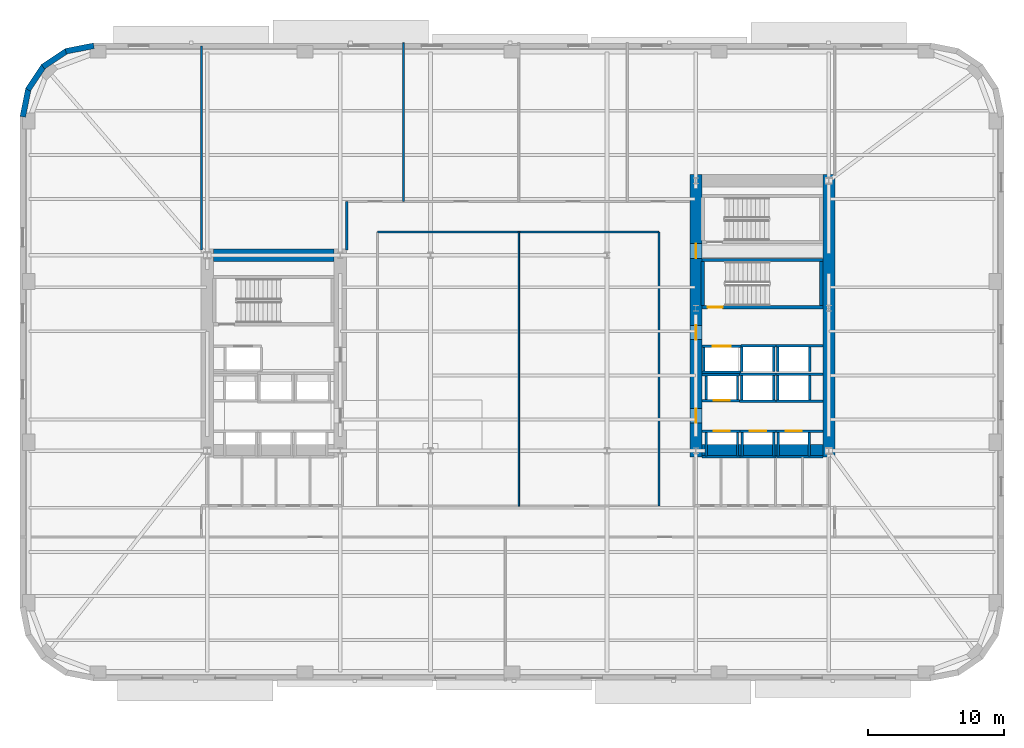
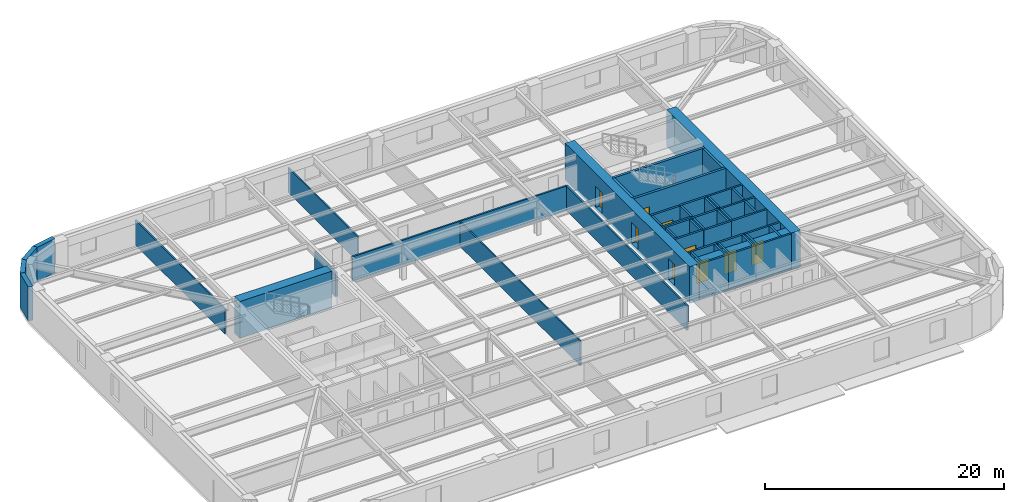
# One storey, part 6 of 15: 51 walls, 9 doors, 9 openings.
"""IFC4 building model written with IfcOpenShell, lengths in metres."""

from ifc_helpers import new_model, si_unit, direction, frame, frame_2d, origin, place, context, subcontext, project, spatial, rectangle, extrude, material, layer, layer_set, type_object, element, fill, save


model = new_model("IFC4")

# Units and contexts
model_context = context("Model", 3, precision=1e-05, world=origin(), true_north=direction((0.0, 1.0)))
body_context = subcontext(model_context, "Body", "Model", "MODEL_VIEW")
ifc_project = project(units=[si_unit("LENGTHUNIT", "METRE"), si_unit("AREAUNIT", "SQUARE_METRE"), si_unit("VOLUMEUNIT", "CUBIC_METRE"), si_unit("PLANEANGLEUNIT", "RADIAN"), si_unit("MASSUNIT", "GRAM", prefix="KILO")], contexts=[model_context])

# Site, building, storey
site_placement = place(None, origin())
site = spatial("IfcSite", under=ifc_project, at=site_placement, CompositionType="ELEMENT")
building_placement = place(site_placement, origin())
building = spatial("IfcBuilding", under=site, at=building_placement, Name="Kolvaren Arena Tower", CompositionType="ELEMENT")
storey_placement = place(building_placement, frame((0.0, 0.0, 45.75)))
storey = spatial("IfcBuildingStorey", under=building, at=storey_placement, Name="L08", CompositionType="ELEMENT", Elevation=45.75)

# Walls
ifc_material_1 = material(Name="Gypsum board acoustic assembly", Category="gypsum")
ifc_layer_1 = layer(ifc_material_1, 0.159912109375)
ifc_layer_set_1 = layer_set([ifc_layer_1], Name="Gypsum board acoustic assembly")
wall_type_1 = type_object("IfcWallType", Name="CORR-160", PredefinedType="PARTITIONING", material=ifc_layer_set_1)
wall_1_placement = place(storey_placement, frame((24.820068359375, 34.25, 0.0), z_axis=(0.0, 0.0, 1.0), x_axis=(0.0, 1.0, 0.0)))
element("IfcWall", 1, at=wall_1_placement, inside=storey, type_object=wall_type_1, Name="Interior Partition Wall (L08)", PredefinedType="PARTITIONING", context=body_context, shape_type="SweptSolid", body=[
    extrude(rectangle(XDim=3.570068359375, YDim=0.159912109375, at=frame_2d((1.78515625, 0.0))), origin(), (0.0, 0.0, 1.0), 2.5400390625),
])
wall_2_placement = place(storey_placement, frame((27.080078125, 35.580078125, 0.0), z_axis=(0.0, 0.0, 1.0), x_axis=(1.0, 0.0, 0.0)))
element("IfcWall", 2, at=wall_2_placement, inside=storey, type_object=wall_type_1, Name="Interior Partition Wall (L08)", PredefinedType="PARTITIONING", context=body_context, shape_type="SweptSolid", body=[
    extrude(rectangle(XDim=20.739990234375, YDim=0.159912109375, at=frame_2d((10.3701171875, 0.0))), origin(), (0.0, 0.0, 1.0), 2.5400390625),
])
wall_3_placement = place(storey_placement, frame((47.820068359375, 15.3798828125, 0.0), z_axis=(0.0, 0.0, 1.0), x_axis=(0.0, 1.0, 0.0)))
element("IfcWall", 3, at=wall_3_placement, inside=storey, type_object=wall_type_1, Name="Interior Partition Wall (L08)", PredefinedType="PARTITIONING", context=body_context, shape_type="SweptSolid", body=[
    extrude(rectangle(XDim=20.2001953125, YDim=0.159912109375, at=frame_2d((10.10009765625, 0.0))), origin(), (0.0, 0.0, 1.0), 2.5400390625),
])
ifc_material_2 = material(Name="Concrete 80 MPa", Category="concrete")
ifc_layer_2 = layer(ifc_material_2, 0.89990234375)
ifc_layer_set_2 = layer_set([ifc_layer_2], Name="Concrete 80 MPa")
wall_type_2 = type_object("IfcWallType", Name="CWALL-900", PredefinedType="SHEAR", material=ifc_layer_set_2)
wall_4_placement = place(storey_placement, frame((15.0, 33.85009765625, -0.27001953125), z_axis=(0.0, 0.0, 1.0), x_axis=(1.0, 0.0, 0.0)))
element("IfcWall", 4, at=wall_4_placement, inside=storey, type_object=wall_type_2, Name="Core Shear Wall WC-NORTH (L08)", PredefinedType="SHEAR", context=body_context, shape_type="SweptSolid", body=[
    extrude(rectangle(XDim=8.89990234375, YDim=0.89990234375, at=frame_2d((4.449951171875, 0.0))), origin(), (0.0, 0.0, 1.0), 3.75),
])

# Wall, openings, doors
wall_5_placement = place(storey_placement, frame((50.550048828125, 19.0, -0.27001953125), z_axis=(0.0, 0.0, 1.0), x_axis=(0.0, 1.0, 0.0)))
wall_5 = element("IfcWall", 5, at=wall_5_placement, inside=storey, type_object=wall_type_2, Name="Core Shear Wall EC-WEST (L08)", PredefinedType="SHEAR", context=body_context, shape_type="SweptSolid", body=[
    extrude(rectangle(XDim=20.800048828125, YDim=0.89990234375, at=frame_2d((10.39990234375, 0.0))), origin(), (0.0, 0.0, 1.0), 3.75),
])
opening_1_placement = place(wall_5_placement, frame((2.5, 0.0, 0.27001953125)))
opening_1 = element("IfcOpeningElement", 6, at=opening_1_placement, cuts=wall_5, Name="Opening D04", PredefinedType="OPENING", context=body_context, shape_type="SweptSolid", body=[
    extrude(rectangle(XDim=1.050048828125, YDim=2.14990234375, at=frame_2d((0.52490234375, 1.074951171875))), frame((0.0, 0.4599609375, 0.0), z_axis=(0.0, -1.0, 0.0), x_axis=(1.0, 0.0, 0.0)), (0.0, 0.0, 1.0), 0.919921875),
])
opening_2_placement = place(wall_5_placement, frame((8.64990234375, 0.0, 0.27001953125)))
opening_2 = element("IfcOpeningElement", 7, at=opening_2_placement, cuts=wall_5, Name="Opening D04", PredefinedType="OPENING", context=body_context, shape_type="SweptSolid", body=[
    extrude(rectangle(XDim=1.050048828125, YDim=2.14990234375, at=frame_2d((0.52490234375, 1.074951171875))), frame((0.0, 0.4599609375, 0.0), z_axis=(0.0, -1.0, 0.0), x_axis=(1.0, 0.0, 0.0)), (0.0, 0.0, 1.0), 0.919921875),
])
opening_3_placement = place(wall_5_placement, frame((14.6201171875, 0.0, 0.27001953125)))
opening_3 = element("IfcOpeningElement", 8, at=opening_3_placement, cuts=wall_5, Name="Opening D03", PredefinedType="OPENING", context=body_context, shape_type="SweptSolid", body=[
    extrude(rectangle(XDim=1.10009765625, YDim=2.14990234375, at=frame_2d((0.550048828125, 1.074951171875))), frame((0.0, 0.4599609375, 0.0), z_axis=(0.0, -1.0, 0.0), x_axis=(1.0, 0.0, 0.0)), (0.0, 0.0, 1.0), 0.919921875),
])
ifc_material_3 = material(Name="Fire-rated steel lobby door", Category="steel")
door_type_1 = type_object("IfcDoorType", Name="DOOR-FF-105", OperationType="NOTDEFINED", PredefinedType="DOOR", material=ifc_material_3)
door_1_placement = place(opening_1_placement, origin())
door_1 = element("IfcDoor", 9, at=door_1_placement, inside=storey, type_object=door_type_1, Name="East Lift Lobby Fire Door (L08)", OperationType="SINGLE_SWING_RIGHT", OverallHeight=2.14990234375, OverallWidth=1.050048828125, PredefinedType="DOOR", context=body_context, shape_type="SweptSolid", body=[
    extrude(rectangle(XDim=1.050048828125, YDim=2.14990234375, at=frame_2d((0.52490234375, 1.074951171875))), frame((0.0, 0.02490234375, 0.0), z_axis=(0.0, -1.0, 0.0), x_axis=(1.0, 0.0, 0.0)), (0.0, 0.0, 1.0), 0.050048828125),
])
fill(opening_1, door_1)
door_2_placement = place(opening_2_placement, origin())
door_2 = element("IfcDoor", 10, at=door_2_placement, inside=storey, type_object=door_type_1, Name="East Firefighter Vestibule Door (L08)", OperationType="SINGLE_SWING_LEFT", OverallHeight=2.14990234375, OverallWidth=1.050048828125, PredefinedType="DOOR", context=body_context, shape_type="SweptSolid", body=[
    extrude(rectangle(XDim=1.050048828125, YDim=2.14990234375, at=frame_2d((0.52490234375, 1.074951171875))), frame((0.0, 0.02490234375, 0.0), z_axis=(0.0, -1.0, 0.0), x_axis=(1.0, 0.0, 0.0)), (0.0, 0.0, 1.0), 0.050048828125),
])
fill(opening_2, door_2)
ifc_material_4 = material(Name="Fire-rated steel exit stair door", Category="steel")
door_type_2 = type_object("IfcDoorType", Name="DOOR-ST-110", OperationType="NOTDEFINED", PredefinedType="DOOR", material=ifc_material_4)
door_3_placement = place(opening_3_placement, origin())
door_3 = element("IfcDoor", 11, at=door_3_placement, inside=storey, type_object=door_type_2, Name="Stair ST-E2 Vestibule Fire Door (L08)", OperationType="SINGLE_SWING_LEFT", OverallHeight=2.14990234375, OverallWidth=1.10009765625, PredefinedType="DOOR", context=body_context, shape_type="SweptSolid", body=[
    extrude(rectangle(XDim=1.10009765625, YDim=2.14990234375, at=frame_2d((0.550048828125, 1.074951171875))), frame((0.0, 0.02490234375, 0.0), z_axis=(0.0, -1.0, 0.0), x_axis=(1.0, 0.0, 0.0)), (0.0, 0.0, 1.0), 0.050048828125),
])
fill(opening_3, door_3)

# Walls
wall_6_placement = place(storey_placement, frame((60.35009765625, 19.0, -0.27001953125), z_axis=(0.0, 0.0, 1.0), x_axis=(0.0, 1.0, 0.0)))
element("IfcWall", 12, at=wall_6_placement, inside=storey, type_object=wall_type_2, Name="Core Shear Wall EC-EAST (L08)", PredefinedType="SHEAR", context=body_context, shape_type="SweptSolid", body=[
    extrude(rectangle(XDim=20.800048828125, YDim=0.89990234375, at=frame_2d((10.39990234375, 0.0))), origin(), (0.0, 0.0, 1.0), 3.75),
])
wall_7_placement = place(storey_placement, frame((51.0, 19.449951171875, -0.27001953125), z_axis=(0.0, 0.0, 1.0), x_axis=(1.0, 0.0, 0.0)))
element("IfcWall", 13, at=wall_7_placement, inside=storey, type_object=wall_type_2, Name="Core Shear Wall EC-SOUTH (L08)", PredefinedType="SHEAR", context=body_context, shape_type="SweptSolid", body=[
    extrude(rectangle(XDim=8.89990234375, YDim=0.89990234375, at=frame_2d((4.449951171875, 0.0))), origin(), (0.0, 0.0, 1.0), 3.75),
])
ifc_material_5 = material(Name="Precast concrete C50/60", Category="concrete")
ifc_layer_3 = layer(ifc_material_5, 0.419921875)
ifc_layer_set_3 = layer_set([ifc_layer_3], Name="Precast concrete C50/60")
wall_type_3 = type_object("IfcWallType", Name="EXT-PIER1", PredefinedType="SOLIDWALL", material=ifc_layer_set_3)
for number, where, z_axis, x_axis, name in (
    (14, (4.12451171875, 48.8828125, 0.0), (0.0, 0.0, 1.0), (0.9807762837, 0.195135546048, 0.0), "Exterior Precast Masonry-Frame Wall (L08)"),
    (15, (2.4482421875, 47.743896484375, 0.0), (0.0, 0.0, 1.0), (0.831515102434, 0.555502146192, 0.0), "Exterior Precast Masonry-Frame Wall (L08)"),
    (16, (1.335693359375, 46.0498046875, 0.0), (0.0, 0.0, 1.0), (0.555502146192, 0.831515102434, 0.0), "Exterior Precast Masonry-Frame Wall (L08)"),
    (17, (0.9560546875, 44.05908203125, 0.0), (0.0, 0.0, 1.0), (0.195135546048, 0.9807762837, 0.0), "Exterior Precast Masonry-Frame Wall (L08)"),
):
    element("IfcWall", number, at=place(storey_placement, frame(where, z_axis=z_axis, x_axis=x_axis)), inside=storey, type_object=wall_type_3, Name=name, PredefinedType="SOLIDWALL", context=body_context, shape_type="SweptSolid", body=[
        extrude(rectangle(XDim=2.10693359375, YDim=0.419921875, at=frame_2d((1.053466796875, 0.0))), origin(), (0.0, 0.0, 1.0), 3.47998046875),
    ])
ifc_material_6 = material(Name="Gypsum board partition assembly", Category="gypsum")
ifc_layer_4 = layer(ifc_material_6, 0.114990234375)
ifc_layer_set_4 = layer_set([ifc_layer_4], Name="Gypsum board partition assembly")
wall_type_4 = type_object("IfcWallType", Name="PART-115", PredefinedType="PARTITIONING", material=ifc_layer_set_4)
wall_8_placement = place(storey_placement, frame((37.5, 15.3798828125, 0.0), z_axis=(0.0, 0.0, 1.0), x_axis=(0.0, 1.0, 0.0)))
element("IfcWall", 18, at=wall_8_placement, inside=storey, type_object=wall_type_4, Name="Interior Partition Wall (L08)", PredefinedType="PARTITIONING", context=body_context, shape_type="SweptSolid", body=[
    extrude(rectangle(XDim=20.2001953125, YDim=0.114990234375, at=frame_2d((10.10009765625, 0.0))), origin(), (0.0, 0.0, 1.0), 2.5400390625),
])
ifc_layer_5 = layer(ifc_material_6, 0.135009765625)
ifc_layer_set_5 = layer_set([ifc_layer_5], Name="Gypsum board partition assembly")
wall_type_5 = type_object("IfcWallType", Name="PART-135", PredefinedType="PARTITIONING", material=ifc_layer_set_5)
wall_9_placement = place(storey_placement, frame((29.0, 37.820068359375, 0.0), z_axis=(0.0, 0.0, 1.0), x_axis=(0.0, 1.0, 0.0)))
element("IfcWall", 19, at=wall_9_placement, inside=storey, type_object=wall_type_5, Name="Interior Partition Wall (L08)", PredefinedType="PARTITIONING", context=body_context, shape_type="SweptSolid", body=[
    extrude(rectangle(XDim=11.679931640625, YDim=0.135009765625, at=frame_2d((5.83984375, 0.0))), origin(), (0.0, 0.0, 1.0), 2.5400390625),
])
wall_10_placement = place(storey_placement, frame((14.1201171875, 34.25, 0.0), z_axis=(0.0, 0.0, 1.0), x_axis=(0.0, 1.0, 0.0)))
element("IfcWall", 20, at=wall_10_placement, inside=storey, type_object=wall_type_5, Name="Interior Partition Wall (L08)", PredefinedType="PARTITIONING", context=body_context, shape_type="SweptSolid", body=[
    extrude(rectangle(XDim=15.010009765625, YDim=0.135009765625, at=frame_2d((7.5048828125, 0.0))), origin(), (0.0, 0.0, 1.0), 2.5400390625),
])

# Wall, opening, door
ifc_material_7 = material(Name="Concrete 45 MPa", Category="concrete")
ifc_layer_6 = layer(ifc_material_7, 0.25)
ifc_layer_set_6 = layer_set([ifc_layer_6], Name="Concrete 45 MPa")
wall_type_6 = type_object("IfcWallType", Name="SHAFT-250", PredefinedType="SOLIDWALL", material=ifc_layer_set_6)
wall_11_placement = place(storey_placement, frame((59.89990234375, 30.030029296875, 0.0), z_axis=(0.0, 0.0, 1.0), x_axis=(-1.0, 0.0, 0.0)))
wall_11 = element("IfcWall", 21, at=wall_11_placement, inside=storey, type_object=wall_type_6, Name="Core Shaft Wall (L08)", PredefinedType="SOLIDWALL", context=body_context, shape_type="SweptSolid", body=[
    extrude(rectangle(XDim=8.89990234375, YDim=0.239990234375, at=frame_2d((4.449951171875, 0.0))), origin(), (0.0, 0.0, 1.0), 3.47998046875),
])
opening_4_placement = place(wall_11_placement, frame((7.3798828125, 0.0, 0.0)))
opening_4 = element("IfcOpeningElement", 22, at=opening_4_placement, cuts=wall_11, Name="Opening D03", PredefinedType="OPENING", context=body_context, shape_type="SweptSolid", body=[
    extrude(rectangle(XDim=1.10009765625, YDim=2.14990234375, at=frame_2d((0.550048828125, 1.074951171875))), frame((0.0, 0.1298828125, 0.0), z_axis=(0.0, -1.0, 0.0), x_axis=(1.0, 0.0, 0.0)), (0.0, 0.0, 1.0), 0.260009765625),
])
door_4_placement = place(opening_4_placement, origin())
door_4 = element("IfcDoor", 23, at=door_4_placement, inside=storey, type_object=door_type_2, Name="Stair ST-E1 Fire Door (L08)", OperationType="SINGLE_SWING_LEFT", OverallHeight=2.14990234375, OverallWidth=1.10009765625, PredefinedType="DOOR", context=body_context, shape_type="SweptSolid", body=[
    extrude(rectangle(XDim=1.10009765625, YDim=2.14990234375, at=frame_2d((0.550048828125, 1.074951171875))), frame((0.0, 0.02490234375, 0.0), z_axis=(0.0, -1.0, 0.0), x_axis=(1.0, 0.0, 0.0)), (0.0, 0.0, 1.0), 0.050048828125),
])
fill(opening_4, door_4)

# Walls
wall_12_placement = place(storey_placement, frame((51.0, 33.5, 0.0), z_axis=(0.0, 0.0, 1.0), x_axis=(1.0, 0.0, 0.0)))
element("IfcWall", 24, at=wall_12_placement, inside=storey, type_object=wall_type_6, Name="Core Shaft Wall (L08)", PredefinedType="SOLIDWALL", context=body_context, shape_type="SweptSolid", body=[
    extrude(rectangle(XDim=8.89990234375, YDim=0.239990234375, at=frame_2d((4.449951171875, 0.0))), origin(), (0.0, 0.0, 1.0), 3.47998046875),
])
for number, where, z_axis, x_axis, name in (
    (25, (51.06005859375, 30.14990234375, 0.0), (0.0, 0.0, 1.0), (0.0, 1.0, 0.0), "Core Shaft Wall (L08)"),
    (26, (59.780029296875, 30.14990234375, 0.0), (0.0, 0.0, 1.0), (0.0, 1.0, 0.0), "Core Shaft Wall (L08)"),
):
    element("IfcWall", number, at=place(storey_placement, frame(where, z_axis=z_axis, x_axis=x_axis)), inside=storey, type_object=wall_type_6, Name=name, PredefinedType="SOLIDWALL", context=body_context, shape_type="SweptSolid", body=[
        extrude(rectangle(XDim=3.22998046875, YDim=0.239990234375, at=frame_2d((1.614990234375, 0.0))), origin(), (0.0, 0.0, 1.0), 3.47998046875),
    ])

# Wall, opening, door
wall_13_placement = place(storey_placement, frame((51.0, 20.905029296875, 0.0), z_axis=(0.0, 0.0, 1.0), x_axis=(1.0, 0.0, 0.0)))
wall_13 = element("IfcWall", 27, at=wall_13_placement, inside=storey, type_object=wall_type_6, Name="Core Shaft Wall (L08)", PredefinedType="SOLIDWALL", context=body_context, shape_type="SweptSolid", body=[
    extrude(rectangle(XDim=2.7900390625, YDim=0.179931640625, at=frame_2d((1.39501953125, 0.0))), origin(), (0.0, 0.0, 1.0), 3.47998046875),
])
opening_5_placement = place(wall_13_placement, frame((0.860107421875, 0.0, 0.0)))
opening_5 = element("IfcOpeningElement", 28, at=opening_5_placement, cuts=wall_13, Name="Opening LD1", PredefinedType="OPENING", context=body_context, shape_type="SweptSolid", body=[
    extrude(rectangle(XDim=1.199951171875, YDim=2.199951171875, at=frame_2d((0.60009765625, 1.10009765625))), frame((0.0, 0.099853515625, 0.0), z_axis=(0.0, -1.0, 0.0), x_axis=(1.0, 0.0, 0.0)), (0.0, 0.0, 1.0), 0.199951171875),
])
ifc_material_8 = material(Name="Stainless steel passenger lift landing door", Category="steel")
door_type_3 = type_object("IfcDoorType", Name="DOOR-LD-120", OperationType="DOUBLE_DOOR_SLIDING", PredefinedType="DOOR", material=ifc_material_8)
door_5_placement = place(opening_5_placement, origin())
door_5 = element("IfcDoor", 29, at=door_5_placement, inside=storey, type_object=door_type_3, Name="Lift EL-LR1 Landing Door (L08)", OperationType="DOUBLE_DOOR_SLIDING", OverallHeight=2.199951171875, OverallWidth=1.199951171875, PredefinedType="DOOR", context=body_context, shape_type="SweptSolid", body=[
    extrude(rectangle(XDim=1.199951171875, YDim=2.199951171875, at=frame_2d((0.60009765625, 1.10009765625))), frame((0.0, 0.02490234375, 0.0), z_axis=(0.0, -1.0, 0.0), x_axis=(1.0, 0.0, 0.0)), (0.0, 0.0, 1.0), 0.050048828125),
])
fill(opening_5, door_5)

# Walls
wall_14_placement = place(storey_placement, frame((51.0, 18.9951171875, 0.0), z_axis=(0.0, 0.0, 1.0), x_axis=(1.0, 0.0, 0.0)))
element("IfcWall", 30, at=wall_14_placement, inside=storey, type_object=wall_type_6, Name="Core Shaft Wall (L08)", PredefinedType="SOLIDWALL", context=body_context, shape_type="SweptSolid", body=[
    extrude(rectangle(XDim=2.7900390625, YDim=0.179931640625, at=frame_2d((1.39501953125, 0.0))), origin(), (0.0, 0.0, 1.0), 3.47998046875),
])
for number, where, z_axis, x_axis, name in (
    (31, (51.304931640625, 19.0849609375, 0.0), (0.0, 0.0, 1.0), (0.0, 1.0, 0.0), "Core Shaft Wall (L08)"),
    (32, (53.614990234375, 19.0849609375, 0.0), (0.0, 0.0, 1.0), (0.0, 1.0, 0.0), "Core Shaft Wall (L08)"),
):
    element("IfcWall", number, at=place(storey_placement, frame(where, z_axis=z_axis, x_axis=x_axis)), inside=storey, type_object=wall_type_6, Name=name, PredefinedType="SOLIDWALL", context=body_context, shape_type="SweptSolid", body=[
        extrude(rectangle(XDim=1.72998046875, YDim=0.179931640625, at=frame_2d((0.864990234375, 0.0))), origin(), (0.0, 0.0, 1.0), 3.47998046875),
    ])

# Wall, opening, door
wall_15_placement = place(storey_placement, frame((53.7900390625, 20.905029296875, 0.0), z_axis=(0.0, 0.0, 1.0), x_axis=(1.0, 0.0, 0.0)))
wall_15 = element("IfcWall", 33, at=wall_15_placement, inside=storey, type_object=wall_type_6, Name="Core Shaft Wall (L08)", PredefinedType="SOLIDWALL", context=body_context, shape_type="SweptSolid", body=[
    extrude(rectangle(XDim=2.64990234375, YDim=0.179931640625, at=frame_2d((1.324951171875, 0.0))), origin(), (0.0, 0.0, 1.0), 3.47998046875),
])
opening_6_placement = place(wall_15_placement, frame((0.72998046875, 0.0, 0.0)))
opening_6 = element("IfcOpeningElement", 34, at=opening_6_placement, cuts=wall_15, Name="Opening LD1", PredefinedType="OPENING", context=body_context, shape_type="SweptSolid", body=[
    extrude(rectangle(XDim=1.199951171875, YDim=2.199951171875, at=frame_2d((0.60009765625, 1.10009765625))), frame((0.0, 0.099853515625, 0.0), z_axis=(0.0, -1.0, 0.0), x_axis=(1.0, 0.0, 0.0)), (0.0, 0.0, 1.0), 0.199951171875),
])
door_6_placement = place(opening_6_placement, origin())
door_6 = element("IfcDoor", 35, at=door_6_placement, inside=storey, type_object=door_type_3, Name="Lift EL-LR2 Landing Door (L08)", OperationType="DOUBLE_DOOR_SLIDING", OverallHeight=2.199951171875, OverallWidth=1.199951171875, PredefinedType="DOOR", context=body_context, shape_type="SweptSolid", body=[
    extrude(rectangle(XDim=1.199951171875, YDim=2.199951171875, at=frame_2d((0.60009765625, 1.10009765625))), frame((0.0, 0.02490234375, 0.0), z_axis=(0.0, -1.0, 0.0), x_axis=(1.0, 0.0, 0.0)), (0.0, 0.0, 1.0), 0.050048828125),
])
fill(opening_6, door_6)

# Walls
wall_16_placement = place(storey_placement, frame((53.7900390625, 18.9951171875, 0.0), z_axis=(0.0, 0.0, 1.0), x_axis=(1.0, 0.0, 0.0)))
element("IfcWall", 36, at=wall_16_placement, inside=storey, type_object=wall_type_6, Name="Core Shaft Wall (L08)", PredefinedType="SOLIDWALL", context=body_context, shape_type="SweptSolid", body=[
    extrude(rectangle(XDim=2.64990234375, YDim=0.179931640625, at=frame_2d((1.324951171875, 0.0))), origin(), (0.0, 0.0, 1.0), 3.47998046875),
])
for number, where, z_axis, x_axis, name in (
    (37, (53.965087890625, 19.0849609375, 0.0), (0.0, 0.0, 1.0), (0.0, 1.0, 0.0), "Core Shaft Wall (L08)"),
    (38, (56.27490234375, 19.0849609375, 0.0), (0.0, 0.0, 1.0), (0.0, 1.0, 0.0), "Core Shaft Wall (L08)"),
):
    element("IfcWall", number, at=place(storey_placement, frame(where, z_axis=z_axis, x_axis=x_axis)), inside=storey, type_object=wall_type_6, Name=name, PredefinedType="SOLIDWALL", context=body_context, shape_type="SweptSolid", body=[
        extrude(rectangle(XDim=1.72998046875, YDim=0.179931640625, at=frame_2d((0.864990234375, 0.0))), origin(), (0.0, 0.0, 1.0), 3.47998046875),
    ])

# Wall, opening, door
wall_17_placement = place(storey_placement, frame((56.43994140625, 20.905029296875, 0.0), z_axis=(0.0, 0.0, 1.0), x_axis=(1.0, 0.0, 0.0)))
wall_17 = element("IfcWall", 39, at=wall_17_placement, inside=storey, type_object=wall_type_6, Name="Core Shaft Wall (L08)", PredefinedType="SOLIDWALL", context=body_context, shape_type="SweptSolid", body=[
    extrude(rectangle(XDim=3.4599609375, YDim=0.179931640625, at=frame_2d((1.72998046875, 0.0))), origin(), (0.0, 0.0, 1.0), 3.47998046875),
])
opening_7_placement = place(wall_17_placement, frame((0.719970703125, 0.0, 0.0)))
opening_7 = element("IfcOpeningElement", 40, at=opening_7_placement, cuts=wall_17, Name="Opening LD1", PredefinedType="OPENING", context=body_context, shape_type="SweptSolid", body=[
    extrude(rectangle(XDim=1.199951171875, YDim=2.199951171875, at=frame_2d((0.60009765625, 1.10009765625))), frame((0.0, 0.099853515625, 0.0), z_axis=(0.0, -1.0, 0.0), x_axis=(1.0, 0.0, 0.0)), (0.0, 0.0, 1.0), 0.199951171875),
])
door_7_placement = place(opening_7_placement, origin())
door_7 = element("IfcDoor", 41, at=door_7_placement, inside=storey, type_object=door_type_3, Name="Lift EL-LR3 Landing Door (L08)", OperationType="DOUBLE_DOOR_SLIDING", OverallHeight=2.199951171875, OverallWidth=1.199951171875, PredefinedType="DOOR", context=body_context, shape_type="SweptSolid", body=[
    extrude(rectangle(XDim=1.199951171875, YDim=2.199951171875, at=frame_2d((0.60009765625, 1.10009765625))), frame((0.0, 0.02490234375, 0.0), z_axis=(0.0, -1.0, 0.0), x_axis=(1.0, 0.0, 0.0)), (0.0, 0.0, 1.0), 0.050048828125),
])
fill(opening_7, door_7)

# Walls
wall_18_placement = place(storey_placement, frame((56.43994140625, 18.9951171875, 0.0), z_axis=(0.0, 0.0, 1.0), x_axis=(1.0, 0.0, 0.0)))
element("IfcWall", 42, at=wall_18_placement, inside=storey, type_object=wall_type_6, Name="Core Shaft Wall (L08)", PredefinedType="SOLIDWALL", context=body_context, shape_type="SweptSolid", body=[
    extrude(rectangle(XDim=3.4599609375, YDim=0.179931640625, at=frame_2d((1.72998046875, 0.0))), origin(), (0.0, 0.0, 1.0), 3.47998046875),
])
for number, where, z_axis, x_axis, name in (
    (43, (56.60498046875, 19.0849609375, 0.0), (0.0, 0.0, 1.0), (0.0, 1.0, 0.0), "Core Shaft Wall (L08)"),
    (44, (58.9150390625, 19.0849609375, 0.0), (0.0, 0.0, 1.0), (0.0, 1.0, 0.0), "Core Shaft Wall (L08)"),
):
    element("IfcWall", number, at=place(storey_placement, frame(where, z_axis=z_axis, x_axis=x_axis)), inside=storey, type_object=wall_type_6, Name=name, PredefinedType="SOLIDWALL", context=body_context, shape_type="SweptSolid", body=[
        extrude(rectangle(XDim=1.72998046875, YDim=0.179931640625, at=frame_2d((0.864990234375, 0.0))), origin(), (0.0, 0.0, 1.0), 3.47998046875),
    ])
wall_19_placement = place(storey_placement, frame((51.0, 25.054931640625, 0.0), z_axis=(0.0, 0.0, 1.0), x_axis=(1.0, 0.0, 0.0)))
element("IfcWall", 45, at=wall_19_placement, inside=storey, type_object=wall_type_6, Name="Core Shaft Wall (L08)", PredefinedType="SOLIDWALL", context=body_context, shape_type="SweptSolid", body=[
    extrude(rectangle(XDim=2.777587890625, YDim=0.179931640625, at=frame_2d((1.388671875, 0.0))), origin(), (0.0, 0.0, 1.0), 3.47998046875),
])

# Wall, opening, door
wall_20_placement = place(storey_placement, frame((51.0, 23.14501953125, 0.0), z_axis=(0.0, 0.0, 1.0), x_axis=(1.0, 0.0, 0.0)))
wall_20 = element("IfcWall", 46, at=wall_20_placement, inside=storey, type_object=wall_type_6, Name="Core Shaft Wall (L08)", PredefinedType="SOLIDWALL", context=body_context, shape_type="SweptSolid", body=[
    extrude(rectangle(XDim=2.777587890625, YDim=0.179931640625, at=frame_2d((1.388671875, 0.0))), origin(), (0.0, 0.0, 1.0), 3.47998046875),
])
opening_8_placement = place(wall_20_placement, frame((0.860107421875, 0.0, 0.0)))
opening_8 = element("IfcOpeningElement", 47, at=opening_8_placement, cuts=wall_20, Name="Opening LD1", PredefinedType="OPENING", context=body_context, shape_type="SweptSolid", body=[
    extrude(rectangle(XDim=1.199951171875, YDim=2.199951171875, at=frame_2d((0.60009765625, 1.10009765625))), frame((0.0, 0.099853515625, 0.0), z_axis=(0.0, -1.0, 0.0), x_axis=(1.0, 0.0, 0.0)), (0.0, 0.0, 1.0), 0.199951171875),
])
door_8_placement = place(opening_8_placement, origin())
door_8 = element("IfcDoor", 48, at=door_8_placement, inside=storey, type_object=door_type_3, Name="Lift EL-LR4 Landing Door (L08)", OperationType="DOUBLE_DOOR_SLIDING", OverallHeight=2.199951171875, OverallWidth=1.199951171875, PredefinedType="DOOR", context=body_context, shape_type="SweptSolid", body=[
    extrude(rectangle(XDim=1.199951171875, YDim=2.199951171875, at=frame_2d((0.60009765625, 1.10009765625))), frame((0.0, 0.02490234375, 0.0), z_axis=(0.0, -1.0, 0.0), x_axis=(1.0, 0.0, 0.0)), (0.0, 0.0, 1.0), 0.050048828125),
])
fill(opening_8, door_8)

# Walls
for number, where, z_axis, x_axis, name in (
    (49, (51.304931640625, 23.235107421875, 0.0), (0.0, 0.0, 1.0), (0.0, 1.0, 0.0), "Core Shaft Wall (L08)"),
    (50, (53.614990234375, 23.235107421875, 0.0), (0.0, 0.0, 1.0), (0.0, 1.0, 0.0), "Core Shaft Wall (L08)"),
):
    element("IfcWall", number, at=place(storey_placement, frame(where, z_axis=z_axis, x_axis=x_axis)), inside=storey, type_object=wall_type_6, Name=name, PredefinedType="SOLIDWALL", context=body_context, shape_type="SweptSolid", body=[
        extrude(rectangle(XDim=1.72998046875, YDim=0.179931640625, at=frame_2d((0.864990234375, 0.0))), origin(), (0.0, 0.0, 1.0), 3.47998046875),
    ])
for number, where, z_axis, x_axis, name in (
    (51, (53.777587890625, 25.10498046875, 0.0), (0.0, 0.0, 1.0), (1.0, 0.0, 0.0), "Core Shaft Wall (L08)"),
    (52, (53.777587890625, 23.094970703125, 0.0), (0.0, 0.0, 1.0), (1.0, 0.0, 0.0), "Core Shaft Wall (L08)"),
):
    element("IfcWall", number, at=place(storey_placement, frame(where, z_axis=z_axis, x_axis=x_axis)), inside=storey, type_object=wall_type_6, Name=name, PredefinedType="SOLIDWALL", context=body_context, shape_type="SweptSolid", body=[
        extrude(rectangle(XDim=2.662353515625, YDim=0.179931640625, at=frame_2d((1.3310546875, 0.0))), origin(), (0.0, 0.0, 1.0), 3.47998046875),
    ])
for number, where, z_axis, x_axis, name in (
    (53, (53.93994140625, 23.18505859375, 0.0), (0.0, 0.0, 1.0), (0.0, 1.0, 0.0), "Core Shaft Wall (L08)"),
    (54, (56.300048828125, 23.18505859375, 0.0), (0.0, 0.0, 1.0), (0.0, 1.0, 0.0), "Core Shaft Wall (L08)"),
):
    element("IfcWall", number, at=place(storey_placement, frame(where, z_axis=z_axis, x_axis=x_axis)), inside=storey, type_object=wall_type_6, Name=name, PredefinedType="SOLIDWALL", context=body_context, shape_type="SweptSolid", body=[
        extrude(rectangle(XDim=1.829833984375, YDim=0.179931640625, at=frame_2d((0.9150390625, 0.0))), origin(), (0.0, 0.0, 1.0), 3.47998046875),
    ])
for number, where, z_axis, x_axis, name in (
    (55, (56.43994140625, 25.10498046875, 0.0), (0.0, 0.0, 1.0), (1.0, 0.0, 0.0), "Core Shaft Wall (L08)"),
    (56, (56.43994140625, 23.094970703125, 0.0), (0.0, 0.0, 1.0), (1.0, 0.0, 0.0), "Core Shaft Wall (L08)"),
):
    element("IfcWall", number, at=place(storey_placement, frame(where, z_axis=z_axis, x_axis=x_axis)), inside=storey, type_object=wall_type_6, Name=name, PredefinedType="SOLIDWALL", context=body_context, shape_type="SweptSolid", body=[
        extrude(rectangle(XDim=3.4599609375, YDim=0.179931640625, at=frame_2d((1.72998046875, 0.0))), origin(), (0.0, 0.0, 1.0), 3.47998046875),
    ])
for number, where, z_axis, x_axis, name in (
    (57, (56.580078125, 23.18505859375, 0.0), (0.0, 0.0, 1.0), (0.0, 1.0, 0.0), "Core Shaft Wall (L08)"),
    (58, (58.93994140625, 23.18505859375, 0.0), (0.0, 0.0, 1.0), (0.0, 1.0, 0.0), "Core Shaft Wall (L08)"),
):
    element("IfcWall", number, at=place(storey_placement, frame(where, z_axis=z_axis, x_axis=x_axis)), inside=storey, type_object=wall_type_6, Name=name, PredefinedType="SOLIDWALL", context=body_context, shape_type="SweptSolid", body=[
        extrude(rectangle(XDim=1.829833984375, YDim=0.179931640625, at=frame_2d((0.9150390625, 0.0))), origin(), (0.0, 0.0, 1.0), 3.47998046875),
    ])
wall_21_placement = place(storey_placement, frame((53.864990234375, 27.205078125, 0.0), z_axis=(0.0, 0.0, 1.0), x_axis=(1.0, 0.0, 0.0)))
element("IfcWall", 59, at=wall_21_placement, inside=storey, type_object=wall_type_6, Name="Core Shaft Wall (L08)", PredefinedType="SOLIDWALL", context=body_context, shape_type="SweptSolid", body=[
    extrude(rectangle(XDim=2.574951171875, YDim=0.179931640625, at=frame_2d((1.28759765625, 0.0))), origin(), (0.0, 0.0, 1.0), 3.47998046875),
])
for number, where, z_axis, x_axis, name in (
    (60, (53.93994140625, 25.284912109375, 0.0), (0.0, 0.0, 1.0), (0.0, 1.0, 0.0), "Core Shaft Wall (L08)"),
    (61, (56.300048828125, 25.284912109375, 0.0), (0.0, 0.0, 1.0), (0.0, 1.0, 0.0), "Core Shaft Wall (L08)"),
):
    element("IfcWall", number, at=place(storey_placement, frame(where, z_axis=z_axis, x_axis=x_axis)), inside=storey, type_object=wall_type_6, Name=name, PredefinedType="SOLIDWALL", context=body_context, shape_type="SweptSolid", body=[
        extrude(rectangle(XDim=1.830078125, YDim=0.179931640625, at=frame_2d((0.9150390625, 0.0))), origin(), (0.0, 0.0, 1.0), 3.47998046875),
    ])
wall_22_placement = place(storey_placement, frame((56.43994140625, 27.205078125, 0.0), z_axis=(0.0, 0.0, 1.0), x_axis=(1.0, 0.0, 0.0)))
element("IfcWall", 62, at=wall_22_placement, inside=storey, type_object=wall_type_6, Name="Core Shaft Wall (L08)", PredefinedType="SOLIDWALL", context=body_context, shape_type="SweptSolid", body=[
    extrude(rectangle(XDim=3.4599609375, YDim=0.179931640625, at=frame_2d((1.72998046875, 0.0))), origin(), (0.0, 0.0, 1.0), 3.47998046875),
])
for number, where, z_axis, x_axis, name in (
    (63, (56.580078125, 25.284912109375, 0.0), (0.0, 0.0, 1.0), (0.0, 1.0, 0.0), "Core Shaft Wall (L08)"),
    (64, (58.93994140625, 25.284912109375, 0.0), (0.0, 0.0, 1.0), (0.0, 1.0, 0.0), "Core Shaft Wall (L08)"),
):
    element("IfcWall", number, at=place(storey_placement, frame(where, z_axis=z_axis, x_axis=x_axis)), inside=storey, type_object=wall_type_6, Name=name, PredefinedType="SOLIDWALL", context=body_context, shape_type="SweptSolid", body=[
        extrude(rectangle(XDim=1.830078125, YDim=0.179931640625, at=frame_2d((0.9150390625, 0.0))), origin(), (0.0, 0.0, 1.0), 3.47998046875),
    ])

# Wall, opening, door
wall_23_placement = place(storey_placement, frame((51.0, 27.155029296875, 0.0), z_axis=(0.0, 0.0, 1.0), x_axis=(1.0, 0.0, 0.0)))
wall_23 = element("IfcWall", 65, at=wall_23_placement, inside=storey, type_object=wall_type_6, Name="Core Shaft Wall (L08)", PredefinedType="SOLIDWALL", context=body_context, shape_type="SweptSolid", body=[
    extrude(rectangle(XDim=2.864990234375, YDim=0.179931640625, at=frame_2d((1.4326171875, 0.0))), origin(), (0.0, 0.0, 1.0), 3.47998046875),
])
opening_9_placement = place(wall_23_placement, frame((0.784912109375, 0.0, 0.0)))
opening_9 = element("IfcOpeningElement", 66, at=opening_9_placement, cuts=wall_23, Name="Opening LD2", PredefinedType="OPENING", context=body_context, shape_type="SweptSolid", body=[
    extrude(rectangle(XDim=1.35009765625, YDim=2.300048828125, at=frame_2d((0.675048828125, 1.14990234375))), frame((0.0, 0.099853515625, 0.0), z_axis=(0.0, -1.0, 0.0), x_axis=(1.0, 0.0, 0.0)), (0.0, 0.0, 1.0), 0.199951171875),
])
ifc_material_9 = material(Name="Stainless steel firefighter lift landing door", Category="steel")
door_type_4 = type_object("IfcDoorType", Name="DOOR-LD-135", OperationType="DOUBLE_DOOR_SLIDING", PredefinedType="DOOR", material=ifc_material_9)
door_9_placement = place(opening_9_placement, origin())
door_9 = element("IfcDoor", 67, at=door_9_placement, inside=storey, type_object=door_type_4, Name="Firefighter Lift FF-E1 Landing Door (L08)", OperationType="DOUBLE_DOOR_SLIDING", OverallHeight=2.300048828125, OverallWidth=1.35009765625, PredefinedType="DOOR", context=body_context, shape_type="SweptSolid", body=[
    extrude(rectangle(XDim=1.35009765625, YDim=2.300048828125, at=frame_2d((0.675048828125, 1.14990234375))), frame((0.0, 0.02490234375, 0.0), z_axis=(0.0, -1.0, 0.0), x_axis=(1.0, 0.0, 0.0)), (0.0, 0.0, 1.0), 0.050048828125),
])
fill(opening_9, door_9)

# Walls
wall_24_placement = place(storey_placement, frame((51.0, 25.2451171875, 0.0), z_axis=(0.0, 0.0, 1.0), x_axis=(1.0, 0.0, 0.0)))
element("IfcWall", 68, at=wall_24_placement, inside=storey, type_object=wall_type_6, Name="Core Shaft Wall (L08)", PredefinedType="SOLIDWALL", context=body_context, shape_type="SweptSolid", body=[
    extrude(rectangle(XDim=2.864990234375, YDim=0.179931640625, at=frame_2d((1.4326171875, 0.0))), origin(), (0.0, 0.0, 1.0), 3.47998046875),
])
wall_25_placement = place(storey_placement, frame((51.1298828125, 25.3349609375, 0.0), z_axis=(0.0, 0.0, 1.0), x_axis=(0.0, 1.0, 0.0)))
element("IfcWall", 69, at=wall_25_placement, inside=storey, type_object=wall_type_6, Name="Core Shaft Wall (L08)", PredefinedType="SOLIDWALL", context=body_context, shape_type="SweptSolid", body=[
    extrude(rectangle(XDim=1.72998046875, YDim=0.179931640625, at=frame_2d((0.864990234375, 0.0))), origin(), (0.0, 0.0, 1.0), 3.47998046875),
])

save(model, "model.ifc")
